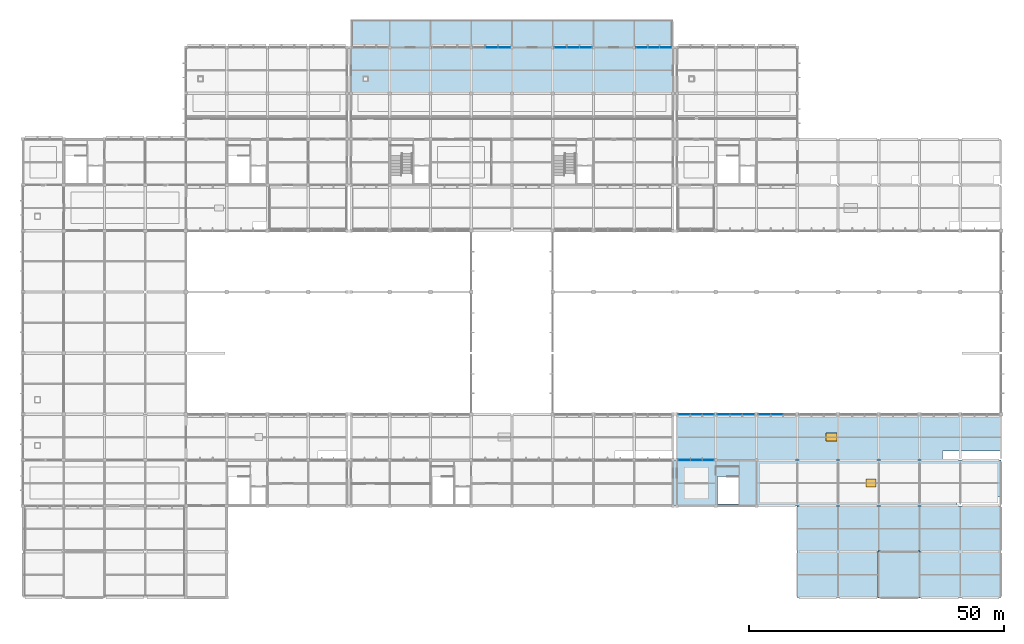
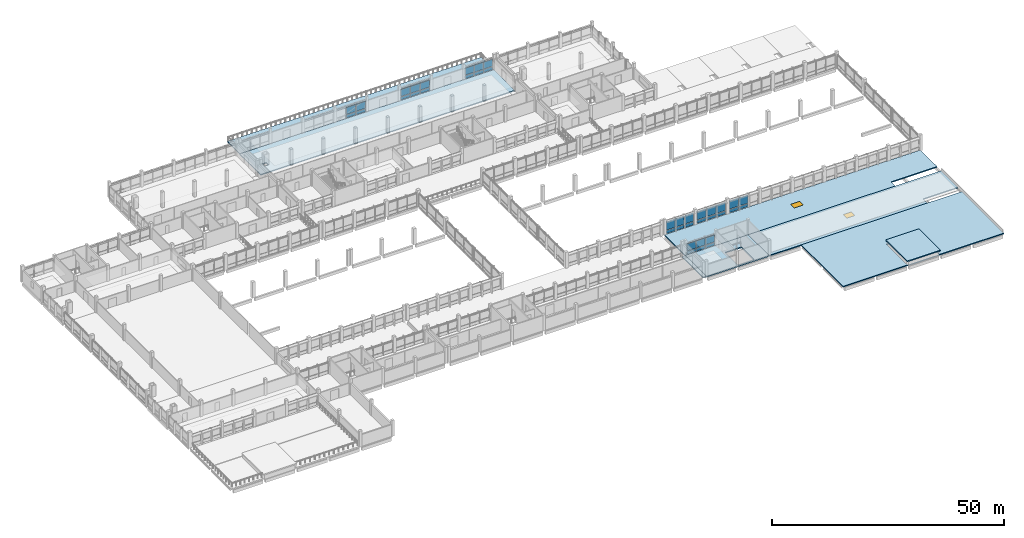
# One storey, part 51 of 70: 38 plates, 8 slabs, 2 windows, 2 openings, 7 elements without a shape of their own.
"""IFC4 building model written with IfcOpenShell, lengths in metres."""

from ifc_helpers import new_model, si_unit, direction, frame, origin, origin_2d, place, context, subcontext, project, spatial, polyline, rectangle, outline, extrude, material, layer, layer_set, type_object, element, fill, aggregate, save


model = new_model("IFC4")

# Units and contexts
model_context = context("Model", 3, precision=1e-05, world=origin(), true_north=direction((0.0, 1.0)))
body_context = subcontext(model_context, "Body", "Model", "MODEL_VIEW")
ifc_project = project(units=[si_unit("LENGTHUNIT", "METRE"), si_unit("AREAUNIT", "SQUARE_METRE"), si_unit("VOLUMEUNIT", "CUBIC_METRE"), si_unit("PLANEANGLEUNIT", "RADIAN"), si_unit("MASSUNIT", "GRAM", prefix="KILO"), si_unit("THERMODYNAMICTEMPERATUREUNIT", "KELVIN"), si_unit("POWERUNIT", "WATT")], contexts=[model_context])

# Site, building, storey
site_placement = place(None, origin())
site = spatial("IfcSite", under=ifc_project, at=site_placement, CompositionType="ELEMENT")
building_placement = place(site_placement, origin())
building = spatial("IfcBuilding", under=site, at=building_placement, Name="Kronsvod Quay Wholesale Market", CompositionType="ELEMENT")
storey_placement = place(building_placement, frame((0.0, 0.0, 9.0)))
storey = spatial("IfcBuildingStorey", under=building, at=storey_placement, Name="L02", CompositionType="ELEMENT", Elevation=9.0)

# Curtain wall, plates
ifc_material_1 = material(Name="Thermally broken aluminium and triple low-E glazing", Category="aluminium")
curtain_wall_type_1 = type_object("IfcCurtainWallType", Name="CW_Clerestory80x32", PredefinedType="NOTDEFINED", material=ifc_material_1)
curtain_wall_1_placement = place(storey_placement, origin())
curtain_wall_1 = element("IfcCurtainWall", 1, at=curtain_wall_1_placement, inside=storey, type_object=curtain_wall_type_1, Name="CWGX-L02-1284-540", PredefinedType="NOTDEFINED")
ifc_material_2 = material(Name="Insulated aluminium spandrel panel", Category="aluminium")
ifc_layer_1 = layer(ifc_material_2, 0.048095703125)
ifc_layer_set_1 = layer_set([ifc_layer_1], Name="Insulated aluminium spandrel panel")
plate_type_1 = type_object("IfcPlateType", Name="CWPanel_SP2223x820", PredefinedType="CURTAIN_PANEL", material=ifc_layer_set_1)
plate_1_placement = place(storey_placement, frame((129.871337890625, 54.0, 0.1201171875), z_axis=(0.0, 0.0, 1.0), x_axis=(1.0, 0.0, 0.0)))
plate_1 = element("IfcPlate", 2, at=plate_1_placement, type_object=plate_type_1, Name="CWGX-L02-1284-540-PS1", PredefinedType="CURTAIN_PANEL", context=body_context, shape_type="SweptSolid", body=[
    extrude(rectangle(XDim=2.222900390625, YDim=0.048095703125, at=origin_2d()), origin(), (0.0, 0.0, 1.0), 0.820068359375),
])
plate_2_placement = place(storey_placement, frame((134.478759765625, 54.0, 0.1201171875), z_axis=(0.0, 0.0, 1.0), x_axis=(1.0, 0.0, 0.0)))
plate_2 = element("IfcPlate", 3, at=plate_2_placement, type_object=plate_type_1, Name="CWGX-L02-1284-540-PS3", PredefinedType="CURTAIN_PANEL", context=body_context, shape_type="SweptSolid", body=[
    extrude(rectangle(XDim=2.222900390625, YDim=0.048095703125, at=origin_2d()), origin(), (0.0, 0.0, 1.0), 0.820068359375),
])

ifc_material_3 = material(Name="Thermally broken aluminium and triple low-E glazing", Category="aluminium")
curtain_wall_type_2 = type_object("IfcCurtainWallType", Name="CW_Harbour76x33", PredefinedType="NOTDEFINED", material=ifc_material_3)
curtain_wall_2_placement = place(storey_placement, origin())
curtain_wall_2 = element("IfcCurtainWall", 4, at=curtain_wall_2_placement, inside=storey, type_object=curtain_wall_type_2, Name="CWGX-L02-1200-1260", PredefinedType="NOTDEFINED")
ifc_material_4 = material(Name="Insulated aluminium spandrel panel", Category="aluminium")
ifc_layer_2 = layer(ifc_material_4, 0.048095703125)
ifc_layer_set_2 = layer_set([ifc_layer_2], Name="Insulated aluminium spandrel panel")
plate_type_2 = type_object("IfcPlateType", Name="CWPanel_SP2224x775", PredefinedType="CURTAIN_PANEL", material=ifc_layer_set_2)
plate_3_placement = place(storey_placement, frame((126.117919921875, 126.0, 0.150146484375), z_axis=(0.0, 0.0, 1.0), x_axis=(-1.0, 0.0, 0.0)))
plate_3 = element("IfcPlate", 5, at=plate_3_placement, type_object=plate_type_2, Name="CWGX-L02-1200-1260-PS1", PredefinedType="CURTAIN_PANEL", context=body_context, shape_type="SweptSolid", body=[
    extrude(rectangle(XDim=2.22412109375, YDim=0.048095703125, at=origin_2d()), origin(), (0.0, 0.0, 1.0), 0.77490234375),
])
plate_4_placement = place(storey_placement, frame((121.482177734375, 126.0, 0.150146484375), z_axis=(0.0, 0.0, 1.0), x_axis=(-1.0, 0.0, 0.0)))
plate_4 = element("IfcPlate", 6, at=plate_4_placement, type_object=plate_type_2, Name="CWGX-L02-1200-1260-PS3", PredefinedType="CURTAIN_PANEL", context=body_context, shape_type="SweptSolid", body=[
    extrude(rectangle(XDim=2.22412109375, YDim=0.048095703125, at=origin_2d()), origin(), (0.0, 0.0, 1.0), 0.77490234375),
])

curtain_wall_3_placement = place(storey_placement, origin())
curtain_wall_3 = element("IfcCurtainWall", 7, at=curtain_wall_3_placement, inside=storey, type_object=curtain_wall_type_2, Name="CWGX-L02-1284-450", PredefinedType="NOTDEFINED")
plate_5_placement = place(storey_placement, frame((134.517822265625, 45.0, 0.150146484375), z_axis=(0.0, 0.0, 1.0), x_axis=(-1.0, 0.0, 0.0)))
plate_5 = element("IfcPlate", 8, at=plate_5_placement, type_object=plate_type_2, Name="CWGX-L02-1284-450-PS1", PredefinedType="CURTAIN_PANEL", context=body_context, shape_type="SweptSolid", body=[
    extrude(rectangle(XDim=2.22412109375, YDim=0.048095703125, at=origin_2d()), origin(), (0.0, 0.0, 1.0), 0.77490234375),
])
plate_6_placement = place(storey_placement, frame((129.882080078125, 45.0, 0.150146484375), z_axis=(0.0, 0.0, 1.0), x_axis=(-1.0, 0.0, 0.0)))
plate_6 = element("IfcPlate", 9, at=plate_6_placement, type_object=plate_type_2, Name="CWGX-L02-1284-450-PS3", PredefinedType="CURTAIN_PANEL", context=body_context, shape_type="SweptSolid", body=[
    extrude(rectangle(XDim=2.22412109375, YDim=0.048095703125, at=origin_2d()), origin(), (0.0, 0.0, 1.0), 0.77490234375),
])

# Plate
ifc_material_5 = material(Name="Insulated aluminium spandrel panel", Category="aluminium")
ifc_layer_3 = layer(ifc_material_5, 0.048095703125)
ifc_layer_set_3 = layer_set([ifc_layer_3], Name="Insulated aluminium spandrel panel")
plate_type_3 = type_object("IfcPlateType", Name="CWPanel_SP2255x820", PredefinedType="CURTAIN_PANEL", material=ifc_layer_set_3)
plate_7_placement = place(storey_placement, frame((132.175048828125, 54.0, 0.1201171875), z_axis=(0.0, 0.0, 1.0), x_axis=(1.0, 0.0, 0.0)))
plate_7 = element("IfcPlate", 10, at=plate_7_placement, type_object=plate_type_3, Name="CWGX-L02-1284-540-PS2", PredefinedType="CURTAIN_PANEL", context=body_context, shape_type="SweptSolid", body=[
    extrude(rectangle(XDim=2.2548828125, YDim=0.048095703125, at=origin_2d()), origin(), (0.0, 0.0, 1.0), 0.820068359375),
])

ifc_material_6 = material(Name="Insulated aluminium spandrel panel", Category="aluminium")
ifc_layer_4 = layer(ifc_material_6, 0.048095703125)
ifc_layer_set_4 = layer_set([ifc_layer_4], Name="Insulated aluminium spandrel panel")
plate_type_4 = type_object("IfcPlateType", Name="CWPanel_SP2262x775", PredefinedType="CURTAIN_PANEL", material=ifc_layer_set_4)
plate_8_placement = place(storey_placement, frame((123.800048828125, 126.0, 0.150146484375), z_axis=(0.0, 0.0, 1.0), x_axis=(-1.0, 0.0, 0.0)))
plate_8 = element("IfcPlate", 11, at=plate_8_placement, type_object=plate_type_4, Name="CWGX-L02-1200-1260-PS2", PredefinedType="CURTAIN_PANEL", context=body_context, shape_type="SweptSolid", body=[
    extrude(rectangle(XDim=2.261962890625, YDim=0.048095703125, at=origin_2d()), origin(), (0.0, 0.0, 1.0), 0.77490234375),
])

plate_9_placement = place(storey_placement, frame((132.199951171875, 45.0, 0.150146484375), z_axis=(0.0, 0.0, 1.0), x_axis=(-1.0, 0.0, 0.0)))
plate_9 = element("IfcPlate", 12, at=plate_9_placement, type_object=plate_type_4, Name="CWGX-L02-1284-450-PS2", PredefinedType="CURTAIN_PANEL", context=body_context, shape_type="SweptSolid", body=[
    extrude(rectangle(XDim=2.261962890625, YDim=0.048095703125, at=origin_2d()), origin(), (0.0, 0.0, 1.0), 0.77490234375),
])

# Curtain wall, plates
curtain_wall_4_placement = place(storey_placement, origin())
curtain_wall_4 = element("IfcCurtainWall", 13, at=curtain_wall_4_placement, inside=storey, type_object=curtain_wall_type_1, Name="CWGX-L02-1360-540", PredefinedType="NOTDEFINED")
ifc_material_7 = material(Name="Insulated aluminium spandrel panel", Category="aluminium")
ifc_layer_5 = layer(ifc_material_7, 0.048095703125)
ifc_layer_set_5 = layer_set([ifc_layer_5], Name="Insulated aluminium spandrel panel")
plate_type_5 = type_object("IfcPlateType", Name="CWPanel_SP2324x775", PredefinedType="CURTAIN_PANEL", material=ifc_layer_set_5)
plate_10_placement = place(storey_placement, frame((137.58203125, 54.0, 0.150146484375), z_axis=(0.0, 0.0, 1.0), x_axis=(1.0, 0.0, 0.0)))
plate_10 = element("IfcPlate", 14, at=plate_10_placement, type_object=plate_type_5, Name="CWGX-L02-1360-540-PS1", PredefinedType="CURTAIN_PANEL", context=body_context, shape_type="SweptSolid", body=[
    extrude(rectangle(XDim=2.323974609375, YDim=0.048095703125, at=origin_2d()), origin(), (0.0, 0.0, 1.0), 0.77490234375),
])
plate_11_placement = place(storey_placement, frame((142.41796875, 54.0, 0.150146484375), z_axis=(0.0, 0.0, 1.0), x_axis=(1.0, 0.0, 0.0)))
plate_11 = element("IfcPlate", 15, at=plate_11_placement, type_object=plate_type_5, Name="CWGX-L02-1360-540-PS3", PredefinedType="CURTAIN_PANEL", context=body_context, shape_type="SweptSolid", body=[
    extrude(rectangle(XDim=2.323974609375, YDim=0.048095703125, at=origin_2d()), origin(), (0.0, 0.0, 1.0), 0.77490234375),
])

# Curtain wall, plate
curtain_wall_5_placement = place(storey_placement, origin())
curtain_wall_5 = element("IfcCurtainWall", 16, at=curtain_wall_5_placement, inside=storey, type_object=curtain_wall_type_1, Name="CWGX-L02-1440-540", PredefinedType="NOTDEFINED")
plate_12_placement = place(storey_placement, frame((145.58203125, 54.0, 0.150146484375), z_axis=(0.0, 0.0, 1.0), x_axis=(1.0, 0.0, 0.0)))
plate_12 = element("IfcPlate", 17, at=plate_12_placement, type_object=plate_type_5, Name="CWGX-L02-1440-540-PS1", PredefinedType="CURTAIN_PANEL", context=body_context, shape_type="SweptSolid", body=[
    extrude(rectangle(XDim=2.323974609375, YDim=0.048095703125, at=origin_2d()), origin(), (0.0, 0.0, 1.0), 0.77490234375),
])

ifc_material_8 = material(Name="Thermally broken aluminium and triple low-E glazing", Category="aluminium")
curtain_wall_type_3 = type_object("IfcCurtainWallType", Name="CW_Harbour80x33", PredefinedType="NOTDEFINED", material=ifc_material_8)
curtain_wall_6_placement = place(storey_placement, origin())
curtain_wall_6 = element("IfcCurtainWall", 18, at=curtain_wall_6_placement, inside=storey, type_object=curtain_wall_type_3, Name="CWGX-L02-880-1260", PredefinedType="NOTDEFINED")
ifc_material_9 = material(Name="Insulated aluminium spandrel panel", Category="aluminium")
ifc_layer_6 = layer(ifc_material_9, 0.048095703125)
ifc_layer_set_6 = layer_set([ifc_layer_6], Name="Insulated aluminium spandrel panel")
plate_type_6 = type_object("IfcPlateType", Name="CWPanel_SP2357x775", PredefinedType="CURTAIN_PANEL", material=ifc_layer_set_6)
plate_13_placement = place(storey_placement, frame((94.451171875, 126.0, 0.150146484375), z_axis=(0.0, 0.0, 1.0), x_axis=(-1.0, 0.0, 0.0)))
plate_13 = element("IfcPlate", 19, at=plate_13_placement, type_object=plate_type_6, Name="CWGX-L02-880-1260-PS1", PredefinedType="CURTAIN_PANEL", context=body_context, shape_type="SweptSolid", body=[
    extrude(rectangle(XDim=2.35693359375, YDim=0.048095703125, at=origin_2d()), origin(), (0.0, 0.0, 1.0), 0.77490234375),
])

# Curtain wall, plates
curtain_wall_7_placement = place(storey_placement, origin())
curtain_wall_7 = element("IfcCurtainWall", 20, at=curtain_wall_7_placement, inside=storey, type_object=curtain_wall_type_3, Name="CWGX-L02-1040-1260", PredefinedType="NOTDEFINED")
plate_14_placement = place(storey_placement, frame((110.451171875, 126.0, 0.150146484375), z_axis=(0.0, 0.0, 1.0), x_axis=(-1.0, 0.0, 0.0)))
plate_14 = element("IfcPlate", 21, at=plate_14_placement, type_object=plate_type_6, Name="CWGX-L02-1040-1260-PS1", PredefinedType="CURTAIN_PANEL", context=body_context, shape_type="SweptSolid", body=[
    extrude(rectangle(XDim=2.35693359375, YDim=0.048095703125, at=origin_2d()), origin(), (0.0, 0.0, 1.0), 0.77490234375),
])
ifc_material_10 = material(Name="Insulated aluminium spandrel panel", Category="aluminium")
ifc_layer_7 = layer(ifc_material_10, 0.048095703125)
ifc_layer_set_7 = layer_set([ifc_layer_7], Name="Insulated aluminium spandrel panel")
plate_type_7 = type_object("IfcPlateType", Name="CWPanel_SP2358x775", PredefinedType="CURTAIN_PANEL", material=ifc_layer_set_7)
plate_15_placement = place(storey_placement, frame((105.548828125, 126.0, 0.150146484375), z_axis=(0.0, 0.0, 1.0), x_axis=(-1.0, 0.0, 0.0)))
plate_15 = element("IfcPlate", 22, at=plate_15_placement, type_object=plate_type_7, Name="CWGX-L02-1040-1260-PS3", PredefinedType="CURTAIN_PANEL", context=body_context, shape_type="SweptSolid", body=[
    extrude(rectangle(XDim=2.35791015625, YDim=0.048095703125, at=origin_2d()), origin(), (0.0, 0.0, 1.0), 0.77490234375),
])

# Plate
ifc_material_11 = material(Name="Insulated aluminium spandrel panel", Category="aluminium")
ifc_layer_8 = layer(ifc_material_11, 0.048095703125)
ifc_layer_set_8 = layer_set([ifc_layer_8], Name="Insulated aluminium spandrel panel")
plate_type_8 = type_object("IfcPlateType", Name="CWPanel_SP2362x775", PredefinedType="CURTAIN_PANEL", material=ifc_layer_set_8)
plate_16_placement = place(storey_placement, frame((140.0, 54.0, 0.150146484375), z_axis=(0.0, 0.0, 1.0), x_axis=(1.0, 0.0, 0.0)))
plate_16 = element("IfcPlate", 23, at=plate_16_placement, type_object=plate_type_8, Name="CWGX-L02-1360-540-PS2", PredefinedType="CURTAIN_PANEL", context=body_context, shape_type="SweptSolid", body=[
    extrude(rectangle(XDim=2.362060546875, YDim=0.048095703125, at=origin_2d()), origin(), (0.0, 0.0, 1.0), 0.77490234375),
])

plate_17_placement = place(storey_placement, frame((148.0, 54.0, 0.150146484375), z_axis=(0.0, 0.0, 1.0), x_axis=(1.0, 0.0, 0.0)))
plate_17 = element("IfcPlate", 24, at=plate_17_placement, type_object=plate_type_8, Name="CWGX-L02-1440-540-PS2", PredefinedType="CURTAIN_PANEL", context=body_context, shape_type="SweptSolid", body=[
    extrude(rectangle(XDim=2.362060546875, YDim=0.048095703125, at=origin_2d()), origin(), (0.0, 0.0, 1.0), 0.77490234375),
])

ifc_material_12 = material(Name="Insulated aluminium spandrel panel", Category="aluminium")
ifc_layer_9 = layer(ifc_material_12, 0.048095703125)
ifc_layer_set_9 = layer_set([ifc_layer_9], Name="Insulated aluminium spandrel panel")
plate_type_9 = type_object("IfcPlateType", Name="CWPanel_SP2395x775", PredefinedType="CURTAIN_PANEL", material=ifc_layer_set_9)
plate_18_placement = place(storey_placement, frame((92.0, 126.0, 0.150146484375), z_axis=(0.0, 0.0, 1.0), x_axis=(-1.0, 0.0, 0.0)))
plate_18 = element("IfcPlate", 25, at=plate_18_placement, type_object=plate_type_9, Name="CWGX-L02-880-1260-PS2", PredefinedType="CURTAIN_PANEL", context=body_context, shape_type="SweptSolid", body=[
    extrude(rectangle(XDim=2.39501953125, YDim=0.048095703125, at=origin_2d()), origin(), (0.0, 0.0, 1.0), 0.77490234375),
])

plate_19_placement = place(storey_placement, frame((108.0, 126.0, 0.150146484375), z_axis=(0.0, 0.0, 1.0), x_axis=(-1.0, 0.0, 0.0)))
plate_19 = element("IfcPlate", 26, at=plate_19_placement, type_object=plate_type_9, Name="CWGX-L02-1040-1260-PS2", PredefinedType="CURTAIN_PANEL", context=body_context, shape_type="SweptSolid", body=[
    extrude(rectangle(XDim=2.39501953125, YDim=0.048095703125, at=origin_2d()), origin(), (0.0, 0.0, 1.0), 0.77490234375),
])

ifc_material_13 = material(Name="Triple low-E insulated glazing", Category="glass")
ifc_layer_10 = layer(ifc_material_13, 0.0439453125)
ifc_layer_set_10 = layer_set([ifc_layer_10], Name="Triple low-E insulated glazing")
plate_type_10 = type_object("IfcPlateType", Name="CWPanel_VS2223x2240", PredefinedType="CURTAIN_PANEL", material=ifc_layer_set_10)
plate_20_placement = place(storey_placement, frame((129.871337890625, 54.0, 1.06005859375), z_axis=(0.0, 0.0, 1.0), x_axis=(1.0, 0.0, 0.0)))
plate_20 = element("IfcPlate", 27, at=plate_20_placement, type_object=plate_type_10, Name="CWGX-L02-1284-540-PV1", PredefinedType="CURTAIN_PANEL", context=body_context, shape_type="SweptSolid", body=[
    extrude(rectangle(XDim=2.222900390625, YDim=0.0439453125, at=origin_2d()), origin(), (0.0, 0.0, 1.0), 2.239990234375),
])

plate_21_placement = place(storey_placement, frame((134.478759765625, 54.0, 1.06005859375), z_axis=(0.0, 0.0, 1.0), x_axis=(1.0, 0.0, 0.0)))
plate_21 = element("IfcPlate", 28, at=plate_21_placement, type_object=plate_type_10, Name="CWGX-L02-1284-540-PV3", PredefinedType="CURTAIN_PANEL", context=body_context, shape_type="SweptSolid", body=[
    extrude(rectangle(XDim=2.222900390625, YDim=0.0439453125, at=origin_2d()), origin(), (0.0, 0.0, 1.0), 2.239990234375),
])

ifc_material_14 = material(Name="Triple low-E insulated glazing", Category="glass")
ifc_layer_11 = layer(ifc_material_14, 0.0439453125)
ifc_layer_set_11 = layer_set([ifc_layer_11], Name="Triple low-E insulated glazing")
plate_type_11 = type_object("IfcPlateType", Name="CWPanel_VS2224x1825", PredefinedType="CURTAIN_PANEL", material=ifc_layer_set_11)
plate_22_placement = place(storey_placement, frame((126.117919921875, 126.0, 1.0751953125), z_axis=(0.0, 0.0, 1.0), x_axis=(-1.0, 0.0, 0.0)))
plate_22 = element("IfcPlate", 29, at=plate_22_placement, type_object=plate_type_11, Name="CWGX-L02-1200-1260-PV1", PredefinedType="CURTAIN_PANEL", context=body_context, shape_type="SweptSolid", body=[
    extrude(rectangle(XDim=2.22412109375, YDim=0.0439453125, at=origin_2d()), origin(), (0.0, 0.0, 1.0), 1.824951171875),
])

plate_23_placement = place(storey_placement, frame((121.482177734375, 126.0, 1.0751953125), z_axis=(0.0, 0.0, 1.0), x_axis=(-1.0, 0.0, 0.0)))
plate_23 = element("IfcPlate", 30, at=plate_23_placement, type_object=plate_type_11, Name="CWGX-L02-1200-1260-PV3", PredefinedType="CURTAIN_PANEL", context=body_context, shape_type="SweptSolid", body=[
    extrude(rectangle(XDim=2.22412109375, YDim=0.0439453125, at=origin_2d()), origin(), (0.0, 0.0, 1.0), 1.824951171875),
])

plate_24_placement = place(storey_placement, frame((134.517822265625, 45.0, 1.0751953125), z_axis=(0.0, 0.0, 1.0), x_axis=(-1.0, 0.0, 0.0)))
plate_24 = element("IfcPlate", 31, at=plate_24_placement, type_object=plate_type_11, Name="CWGX-L02-1284-450-PV1", PredefinedType="CURTAIN_PANEL", context=body_context, shape_type="SweptSolid", body=[
    extrude(rectangle(XDim=2.22412109375, YDim=0.0439453125, at=origin_2d()), origin(), (0.0, 0.0, 1.0), 1.824951171875),
])

plate_25_placement = place(storey_placement, frame((129.882080078125, 45.0, 1.0751953125), z_axis=(0.0, 0.0, 1.0), x_axis=(-1.0, 0.0, 0.0)))
plate_25 = element("IfcPlate", 32, at=plate_25_placement, type_object=plate_type_11, Name="CWGX-L02-1284-450-PV3", PredefinedType="CURTAIN_PANEL", context=body_context, shape_type="SweptSolid", body=[
    extrude(rectangle(XDim=2.22412109375, YDim=0.0439453125, at=origin_2d()), origin(), (0.0, 0.0, 1.0), 1.824951171875),
])

ifc_material_15 = material(Name="Triple low-E insulated glazing", Category="glass")
ifc_layer_12 = layer(ifc_material_15, 0.0439453125)
ifc_layer_set_12 = layer_set([ifc_layer_12], Name="Triple low-E insulated glazing")
plate_type_12 = type_object("IfcPlateType", Name="CWPanel_VS2255x2240", PredefinedType="CURTAIN_PANEL", material=ifc_layer_set_12)
plate_26_placement = place(storey_placement, frame((132.175048828125, 54.0, 1.06005859375), z_axis=(0.0, 0.0, 1.0), x_axis=(1.0, 0.0, 0.0)))
plate_26 = element("IfcPlate", 33, at=plate_26_placement, type_object=plate_type_12, Name="CWGX-L02-1284-540-PV2", PredefinedType="CURTAIN_PANEL", context=body_context, shape_type="SweptSolid", body=[
    extrude(rectangle(XDim=2.2548828125, YDim=0.0439453125, at=origin_2d()), origin(), (0.0, 0.0, 1.0), 2.239990234375),
])

aggregate(curtain_wall_1, [plate_1, plate_20, plate_7, plate_26, plate_2, plate_21])

ifc_material_16 = material(Name="Triple low-E insulated glazing", Category="glass")
ifc_layer_13 = layer(ifc_material_16, 0.0439453125)
ifc_layer_set_13 = layer_set([ifc_layer_13], Name="Triple low-E insulated glazing")
plate_type_13 = type_object("IfcPlateType", Name="CWPanel_VS2262x1825", PredefinedType="CURTAIN_PANEL", material=ifc_layer_set_13)
plate_27_placement = place(storey_placement, frame((123.800048828125, 126.0, 1.0751953125), z_axis=(0.0, 0.0, 1.0), x_axis=(-1.0, 0.0, 0.0)))
plate_27 = element("IfcPlate", 34, at=plate_27_placement, type_object=plate_type_13, Name="CWGX-L02-1200-1260-PV2", PredefinedType="CURTAIN_PANEL", context=body_context, shape_type="SweptSolid", body=[
    extrude(rectangle(XDim=2.261962890625, YDim=0.0439453125, at=origin_2d()), origin(), (0.0, 0.0, 1.0), 1.824951171875),
])

aggregate(curtain_wall_2, [plate_3, plate_22, plate_8, plate_27, plate_4, plate_23])

plate_28_placement = place(storey_placement, frame((132.199951171875, 45.0, 1.0751953125), z_axis=(0.0, 0.0, 1.0), x_axis=(-1.0, 0.0, 0.0)))
plate_28 = element("IfcPlate", 35, at=plate_28_placement, type_object=plate_type_13, Name="CWGX-L02-1284-450-PV2", PredefinedType="CURTAIN_PANEL", context=body_context, shape_type="SweptSolid", body=[
    extrude(rectangle(XDim=2.261962890625, YDim=0.0439453125, at=origin_2d()), origin(), (0.0, 0.0, 1.0), 1.824951171875),
])

aggregate(curtain_wall_3, [plate_5, plate_24, plate_9, plate_28, plate_6, plate_25])

ifc_material_17 = material(Name="Triple low-E insulated glazing", Category="glass")
ifc_layer_14 = layer(ifc_material_17, 0.0439453125)
ifc_layer_set_14 = layer_set([ifc_layer_14], Name="Triple low-E insulated glazing")
plate_type_14 = type_object("IfcPlateType", Name="CWPanel_VS2324x2195", PredefinedType="CURTAIN_PANEL", material=ifc_layer_set_14)
plate_29_placement = place(storey_placement, frame((137.58203125, 54.0, 1.0751953125), z_axis=(0.0, 0.0, 1.0), x_axis=(1.0, 0.0, 0.0)))
plate_29 = element("IfcPlate", 36, at=plate_29_placement, type_object=plate_type_14, Name="CWGX-L02-1360-540-PV1", PredefinedType="CURTAIN_PANEL", context=body_context, shape_type="SweptSolid", body=[
    extrude(rectangle(XDim=2.323974609375, YDim=0.0439453125, at=origin_2d()), origin(), (0.0, 0.0, 1.0), 2.195068359375),
])

plate_30_placement = place(storey_placement, frame((142.41796875, 54.0, 1.0751953125), z_axis=(0.0, 0.0, 1.0), x_axis=(1.0, 0.0, 0.0)))
plate_30 = element("IfcPlate", 37, at=plate_30_placement, type_object=plate_type_14, Name="CWGX-L02-1360-540-PV3", PredefinedType="CURTAIN_PANEL", context=body_context, shape_type="SweptSolid", body=[
    extrude(rectangle(XDim=2.323974609375, YDim=0.0439453125, at=origin_2d()), origin(), (0.0, 0.0, 1.0), 2.195068359375),
])

plate_31_placement = place(storey_placement, frame((145.58203125, 54.0, 1.0751953125), z_axis=(0.0, 0.0, 1.0), x_axis=(1.0, 0.0, 0.0)))
plate_31 = element("IfcPlate", 38, at=plate_31_placement, type_object=plate_type_14, Name="CWGX-L02-1440-540-PV1", PredefinedType="CURTAIN_PANEL", context=body_context, shape_type="SweptSolid", body=[
    extrude(rectangle(XDim=2.323974609375, YDim=0.0439453125, at=origin_2d()), origin(), (0.0, 0.0, 1.0), 2.195068359375),
])

ifc_material_18 = material(Name="Triple low-E insulated glazing", Category="glass")
ifc_layer_15 = layer(ifc_material_18, 0.0439453125)
ifc_layer_set_15 = layer_set([ifc_layer_15], Name="Triple low-E insulated glazing")
plate_type_15 = type_object("IfcPlateType", Name="CWPanel_VS2357x1825", PredefinedType="CURTAIN_PANEL", material=ifc_layer_set_15)
plate_32_placement = place(storey_placement, frame((94.451171875, 126.0, 1.0751953125), z_axis=(0.0, 0.0, 1.0), x_axis=(-1.0, 0.0, 0.0)))
plate_32 = element("IfcPlate", 39, at=plate_32_placement, type_object=plate_type_15, Name="CWGX-L02-880-1260-PV1", PredefinedType="CURTAIN_PANEL", context=body_context, shape_type="SweptSolid", body=[
    extrude(rectangle(XDim=2.35693359375, YDim=0.0439453125, at=origin_2d()), origin(), (0.0, 0.0, 1.0), 1.824951171875),
])

plate_33_placement = place(storey_placement, frame((110.451171875, 126.0, 1.0751953125), z_axis=(0.0, 0.0, 1.0), x_axis=(-1.0, 0.0, 0.0)))
plate_33 = element("IfcPlate", 40, at=plate_33_placement, type_object=plate_type_15, Name="CWGX-L02-1040-1260-PV1", PredefinedType="CURTAIN_PANEL", context=body_context, shape_type="SweptSolid", body=[
    extrude(rectangle(XDim=2.35693359375, YDim=0.0439453125, at=origin_2d()), origin(), (0.0, 0.0, 1.0), 1.824951171875),
])

ifc_material_19 = material(Name="Triple low-E insulated glazing", Category="glass")
ifc_layer_16 = layer(ifc_material_19, 0.0439453125)
ifc_layer_set_16 = layer_set([ifc_layer_16], Name="Triple low-E insulated glazing")
plate_type_16 = type_object("IfcPlateType", Name="CWPanel_VS2358x1825", PredefinedType="CURTAIN_PANEL", material=ifc_layer_set_16)
plate_34_placement = place(storey_placement, frame((105.548828125, 126.0, 1.0751953125), z_axis=(0.0, 0.0, 1.0), x_axis=(-1.0, 0.0, 0.0)))
plate_34 = element("IfcPlate", 41, at=plate_34_placement, type_object=plate_type_16, Name="CWGX-L02-1040-1260-PV3", PredefinedType="CURTAIN_PANEL", context=body_context, shape_type="SweptSolid", body=[
    extrude(rectangle(XDim=2.35791015625, YDim=0.0439453125, at=origin_2d()), origin(), (0.0, 0.0, 1.0), 1.824951171875),
])

ifc_material_20 = material(Name="Triple low-E insulated glazing", Category="glass")
ifc_layer_17 = layer(ifc_material_20, 0.0439453125)
ifc_layer_set_17 = layer_set([ifc_layer_17], Name="Triple low-E insulated glazing")
plate_type_17 = type_object("IfcPlateType", Name="CWPanel_VS2362x2195", PredefinedType="CURTAIN_PANEL", material=ifc_layer_set_17)
plate_35_placement = place(storey_placement, frame((140.0, 54.0, 1.0751953125), z_axis=(0.0, 0.0, 1.0), x_axis=(1.0, 0.0, 0.0)))
plate_35 = element("IfcPlate", 42, at=plate_35_placement, type_object=plate_type_17, Name="CWGX-L02-1360-540-PV2", PredefinedType="CURTAIN_PANEL", context=body_context, shape_type="SweptSolid", body=[
    extrude(rectangle(XDim=2.362060546875, YDim=0.0439453125, at=origin_2d()), origin(), (0.0, 0.0, 1.0), 2.195068359375),
])

aggregate(curtain_wall_4, [plate_10, plate_29, plate_16, plate_35, plate_11, plate_30])

plate_36_placement = place(storey_placement, frame((148.0, 54.0, 1.0751953125), z_axis=(0.0, 0.0, 1.0), x_axis=(1.0, 0.0, 0.0)))
plate_36 = element("IfcPlate", 43, at=plate_36_placement, type_object=plate_type_17, Name="CWGX-L02-1440-540-PV2", PredefinedType="CURTAIN_PANEL", context=body_context, shape_type="SweptSolid", body=[
    extrude(rectangle(XDim=2.362060546875, YDim=0.0439453125, at=origin_2d()), origin(), (0.0, 0.0, 1.0), 2.195068359375),
])

aggregate(curtain_wall_5, [plate_12, plate_31, plate_17, plate_36])

ifc_material_21 = material(Name="Triple low-E insulated glazing", Category="glass")
ifc_layer_18 = layer(ifc_material_21, 0.0439453125)
ifc_layer_set_18 = layer_set([ifc_layer_18], Name="Triple low-E insulated glazing")
plate_type_18 = type_object("IfcPlateType", Name="CWPanel_VS2395x1825", PredefinedType="CURTAIN_PANEL", material=ifc_layer_set_18)
plate_37_placement = place(storey_placement, frame((92.0, 126.0, 1.0751953125), z_axis=(0.0, 0.0, 1.0), x_axis=(-1.0, 0.0, 0.0)))
plate_37 = element("IfcPlate", 44, at=plate_37_placement, type_object=plate_type_18, Name="CWGX-L02-880-1260-PV2", PredefinedType="CURTAIN_PANEL", context=body_context, shape_type="SweptSolid", body=[
    extrude(rectangle(XDim=2.39501953125, YDim=0.0439453125, at=origin_2d()), origin(), (0.0, 0.0, 1.0), 1.824951171875),
])

aggregate(curtain_wall_6, [plate_13, plate_32, plate_18, plate_37])

plate_38_placement = place(storey_placement, frame((108.0, 126.0, 1.0751953125), z_axis=(0.0, 0.0, 1.0), x_axis=(-1.0, 0.0, 0.0)))
plate_38 = element("IfcPlate", 45, at=plate_38_placement, type_object=plate_type_18, Name="CWGX-L02-1040-1260-PV2", PredefinedType="CURTAIN_PANEL", context=body_context, shape_type="SweptSolid", body=[
    extrude(rectangle(XDim=2.39501953125, YDim=0.0439453125, at=origin_2d()), origin(), (0.0, 0.0, 1.0), 1.824951171875),
])

aggregate(curtain_wall_7, [plate_14, plate_33, plate_19, plate_38, plate_15, plate_34])

# Slabs
ifc_material_22 = material(Name="Concrete C35/45", Category="concrete")
ifc_layer_19 = layer(ifc_material_22, 0.264892578125)
ifc_layer_set_19 = layer_set([ifc_layer_19], Name="Concrete C35/45")
slab_type_1 = type_object("IfcSlabType", Name="Slab_BalconyDeck265", PredefinedType="FLOOR", material=ifc_layer_set_19)
slab_1_placement = place(storey_placement, frame((0.0, 0.0, -0.264892578125)))
element("IfcSlab", 46, at=slab_1_placement, inside=storey, type_object=slab_type_1, Name="SLB-TER-HARB", PredefinedType="FLOOR", context=body_context, shape_type="SweptSolid", body=[
    extrude(outline(polyline([(64.449951171875, 126.0), (127.550048828125, 126.0), (127.550048828125, 131.39990234375), (64.449951171875, 131.39990234375), (64.449951171875, 126.0)])), origin(), (0.0, 0.0, 1.0), 0.264892578125),
])
ifc_material_23 = material(Name="Precast concrete C40/50", Category="concrete")
ifc_layer_20 = layer(ifc_material_23, 0.260009765625)
ifc_layer_set_20 = layer_set([ifc_layer_20], Name="Precast concrete C40/50")
slab_type_2 = type_object("IfcSlabType", Name="Slab_FlatRoof260", PredefinedType="ROOF", material=ifc_layer_set_20)
slab_2_placement = place(storey_placement, frame((0.0, 0.0, -0.260009765625)))
element("IfcSlab", 47, at=slab_2_placement, inside=storey, type_object=slab_type_2, Name="SLB-L02-121", PredefinedType="ROOF", context=body_context, shape_type="SweptSolid", body=[
    extrude(outline(polyline([(152.0, 18.0), (192.0, 18.0), (192.0, 36.0), (152.0, 36.0), (152.0, 18.0)]), holes=[polyline([(168.02001953125, 18.02001953125), (175.97998046875, 18.02001953125), (175.97998046875, 26.97998046875), (168.02001953125, 26.97998046875), (168.02001953125, 18.02001953125)])]), origin(), (0.0, 0.0, 1.0), 0.260009765625),
])

# Slab, opening, window
slab_3_placement = place(storey_placement, frame((0.0, 0.0, -0.260009765625)))
slab_3 = element("IfcSlab", 48, at=slab_3_placement, inside=storey, type_object=slab_type_2, Name="SLB-L02-123", PredefinedType="ROOF", context=body_context, shape_type="SweptSolid", body=[
    extrude(outline(polyline([(144.0, 36.0), (183.360107421875, 36.0), (183.360107421875, 37.800048828125), (192.0, 37.800048828125), (192.0, 45.0), (144.0, 45.0), (144.0, 36.0)])), origin(), (0.0, 0.0, 1.0), 0.260009765625),
])
opening_1_placement = place(slab_3_placement, frame((166.5, 40.5, 0.0)))
opening_1 = element("IfcOpeningElement", 49, at=opening_1_placement, cuts=slab_3, Name="Opening SKY-04", PredefinedType="OPENING", context=body_context, shape_type="SweptSolid", body=[
    extrude(rectangle(XDim=2.0, YDim=1.5, at=origin_2d()), frame((0.0, 0.0, -0.010009765625)), (0.0, 0.0, 1.0), 0.280029296875),
])
ifc_material_24 = material(Name="Thermally broken aluminium and triple low-E glazing", Category="aluminium")
window_type_1 = type_object("IfcWindowType", Name="Skylight_Daylight200x150", PartitioningType="DOUBLE_PANEL_HORIZONTAL", PredefinedType="SKYLIGHT", material=ifc_material_24)
window_1_placement = place(opening_1_placement, frame((0.0, 0.0, 0.2099609375)))
window_1 = element("IfcWindow", 50, at=window_1_placement, inside=storey, type_object=window_type_1, Name="SKY-04", OverallHeight=1.5, OverallWidth=2.0, PartitioningType="SINGLE_PANEL", PredefinedType="SKYLIGHT", context=body_context, shape_type="SweptSolid", body=[
    extrude(rectangle(XDim=2.0, YDim=1.5, at=origin_2d()), origin(), (0.0, 0.0, 1.0), 0.050048828125),
])
fill(opening_1, window_1)

slab_4_placement = place(storey_placement, frame((0.0, 0.0, -0.260009765625)))
slab_4 = element("IfcSlab", 51, at=slab_4_placement, inside=storey, type_object=slab_type_2, Name="SLB-L02-124", PredefinedType="ROOF", context=body_context, shape_type="SweptSolid", body=[
    extrude(outline(polyline([(128.419921875, 45.0), (180.56005859375, 45.0), (180.56005859375, 46.800048828125), (192.0, 46.800048828125), (192.0, 54.0), (128.419921875, 54.0), (128.419921875, 45.0)])), origin(), (0.0, 0.0, 1.0), 0.260009765625),
])
opening_2_placement = place(slab_4_placement, frame((158.7099609375, 49.5, 0.0)))
opening_2 = element("IfcOpeningElement", 52, at=opening_2_placement, cuts=slab_4, Name="Opening SKY-05", PredefinedType="OPENING", context=body_context, shape_type="SweptSolid", body=[
    extrude(rectangle(XDim=2.199951171875, YDim=1.550048828125, at=origin_2d()), frame((0.0, 0.0, -0.010009765625)), (0.0, 0.0, 1.0), 0.280029296875),
])
ifc_material_25 = material(Name="Thermally broken aluminium and triple low-E glazing", Category="aluminium")
window_type_2 = type_object("IfcWindowType", Name="Skylight_Daylight220x155", PartitioningType="DOUBLE_PANEL_HORIZONTAL", PredefinedType="SKYLIGHT", material=ifc_material_25)
window_2_placement = place(opening_2_placement, frame((0.0, 0.0, 0.2099609375)))
window_2 = element("IfcWindow", 53, at=window_2_placement, inside=storey, type_object=window_type_2, Name="SKY-05", OverallHeight=1.550048828125, OverallWidth=2.199951171875, PartitioningType="SINGLE_PANEL", PredefinedType="SKYLIGHT", context=body_context, shape_type="SweptSolid", body=[
    extrude(rectangle(XDim=2.199951171875, YDim=1.550048828125, at=origin_2d()), origin(), (0.0, 0.0, 1.0), 0.050048828125),
])
fill(opening_2, window_2)

# Slabs
ifc_material_26 = material(Name="Concrete C35/45", Category="concrete")
ifc_layer_21 = layer(ifc_material_26, 0.25)
ifc_layer_set_21 = layer_set([ifc_layer_21], Name="Concrete C35/45")
slab_type_3 = type_object("IfcSlabType", Name="Slab_Floor250", PredefinedType="FLOOR", material=ifc_layer_set_21)
slab_5_placement = place(storey_placement, frame((0.0, 0.0, -0.25)))
element("IfcSlab", 54, at=slab_5_placement, inside=storey, type_object=slab_type_3, Name="SLB-L02-120", PredefinedType="FLOOR", context=body_context, shape_type="SweptSolid", body=[
    extrude(outline(polyline([(64.419921875, 117.0), (127.580078125, 117.0), (127.580078125, 126.0), (64.419921875, 126.0), (64.419921875, 117.0)]), holes=[polyline([(66.820068359375, 119.39990234375), (67.719970703125, 119.39990234375), (67.719970703125, 120.300048828125), (66.820068359375, 120.300048828125), (66.820068359375, 119.39990234375)])]), origin(), (0.0, 0.0, 1.0), 0.25),
])
ifc_material_27 = material(Name="Concrete C35/45", Category="concrete")
ifc_layer_22 = layer(ifc_material_27, 0.300048828125)
ifc_layer_set_22 = layer_set([ifc_layer_22], Name="Concrete C35/45")
slab_type_4 = type_object("IfcSlabType", Name="Slab_FloorCold300", PredefinedType="FLOOR", material=ifc_layer_set_22)
slab_6_placement = place(storey_placement, frame((0.0, 0.0, -0.300048828125)))
element("IfcSlab", 55, at=slab_6_placement, inside=storey, type_object=slab_type_4, Name="SLB-L02-122", PredefinedType="FLOOR", context=body_context, shape_type="SweptSolid", body=[
    extrude(outline(polyline([(128.419921875, 36.0), (144.0, 36.0), (144.0, 45.0), (128.419921875, 45.0), (128.419921875, 36.0)]), holes=[polyline([(136.3798828125, 36.3798828125), (140.4599609375, 36.3798828125), (140.4599609375, 41.75), (136.3798828125, 41.75), (136.3798828125, 36.3798828125)])]), origin(), (0.0, 0.0, 1.0), 0.300048828125),
])
ifc_material_28 = material(Name="Concrete C35/45", Category="concrete")
ifc_layer_23 = layer(ifc_material_28, 0.2451171875)
ifc_layer_set_23 = layer_set([ifc_layer_23], Name="Concrete C35/45")
slab_type_5 = type_object("IfcSlabType", Name="Slab_JointBridge245", PredefinedType="FLOOR", material=ifc_layer_set_23)
slab_7_placement = place(storey_placement, frame((0.0, 0.0, -0.2451171875)))
element("IfcSlab", 56, at=slab_7_placement, inside=storey, type_object=slab_type_5, Name="SLB-MJ-L02-J2-36", PredefinedType="FLOOR", context=body_context, shape_type="SweptSolid", body=[
    extrude(outline(polyline([(127.580078125, 36.0), (128.419921875, 36.0), (128.419921875, 45.0), (127.580078125, 45.0), (127.580078125, 36.0)])), origin(), (0.0, 0.0, 1.0), 0.2451171875),
])
ifc_material_29 = material(Name="Concrete C35/45", Category="concrete")
ifc_layer_24 = layer(ifc_material_29, 0.284912109375)
ifc_layer_set_24 = layer_set([ifc_layer_24], Name="Concrete C35/45")
slab_type_6 = type_object("IfcSlabType", Name="Slab_OverrunRoof285", PredefinedType="ROOF", material=ifc_layer_set_24)
slab_8_placement = place(storey_placement, frame((0.0, 0.0, 0.864990234375)))
element("IfcSlab", 57, at=slab_8_placement, inside=storey, type_object=slab_type_6, Name="SLB-OR-C06", PredefinedType="ROOF", context=body_context, shape_type="SweptSolid", body=[
    extrude(outline(polyline([(167.8798828125, 17.8798828125), (176.1201171875, 17.8798828125), (176.1201171875, 27.1201171875), (167.8798828125, 27.1201171875), (167.8798828125, 17.8798828125)])), origin(), (0.0, 0.0, 1.0), 0.284912109375),
])

save(model, "model.ifc")
